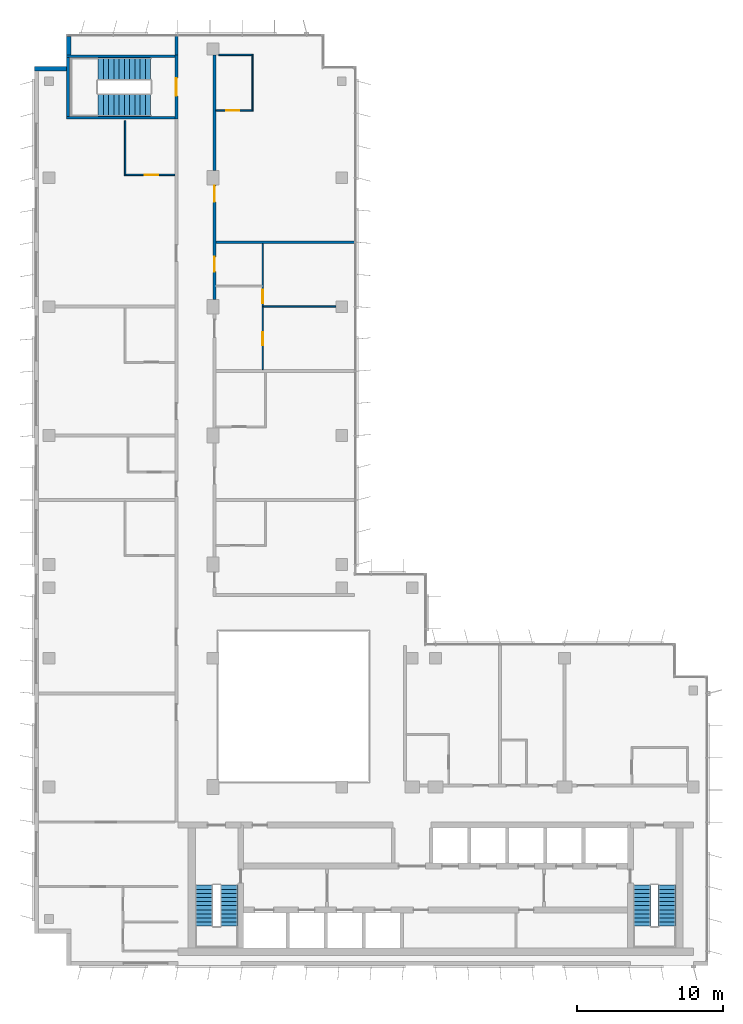
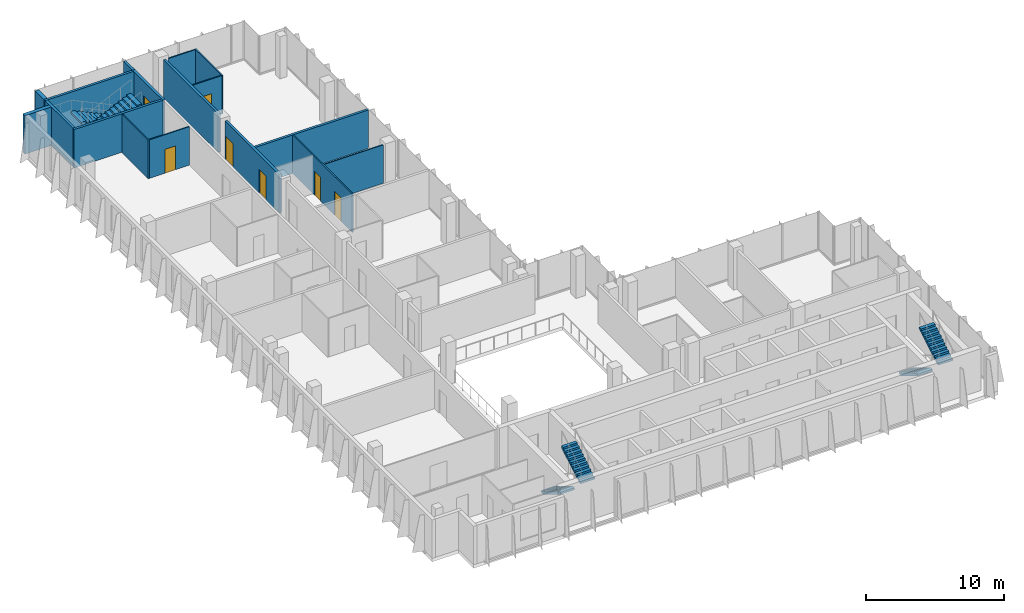
# One storey, part 12 of 15: 17 walls, 7 doors, 6 stair flights, 7 openings, 3 elements without a shape of their own.
"""IFC4 building model written with IfcOpenShell, lengths in metres."""

from ifc_helpers import new_model, si_unit, direction, frame, frame_2d, origin, place, context, subcontext, project, spatial, polyline, rectangle, outline, extrude, material, layer, layer_set, type_object, element, fill, aggregate, save


model = new_model("IFC4")

# Units and contexts
model_context = context("Model", 3, precision=1e-05, world=origin(), true_north=direction((0.0, 1.0)))
body_context = subcontext(model_context, "Body", "Model", "MODEL_VIEW")
ifc_project = project(units=[si_unit("LENGTHUNIT", "METRE"), si_unit("AREAUNIT", "SQUARE_METRE"), si_unit("VOLUMEUNIT", "CUBIC_METRE"), si_unit("PLANEANGLEUNIT", "RADIAN"), si_unit("MASSUNIT", "GRAM", prefix="KILO")], contexts=[model_context])

# Site, building, storey
site_placement = place(None, origin())
site = spatial("IfcSite", under=ifc_project, at=site_placement, CompositionType="ELEMENT")
building_placement = place(site_placement, origin())
building = spatial("IfcBuilding", under=site, at=building_placement, Name="Kemantara Hotel Tower", CompositionType="ELEMENT")
storey_placement = place(building_placement, frame((0.0, 0.0, 261.10009765625)))
storey = spatial("IfcBuildingStorey", under=building, at=storey_placement, Name="L65", CompositionType="ELEMENT", Elevation=261.10009765625)

# Walls
ifc_material_1 = material(Name="Bronze anodised aluminium cladding on insulated steel stud wall", Category="steel")
ifc_layer_1 = layer(ifc_material_1, 0.300048828125)
ifc_layer_set_1 = layer_set([ifc_layer_1], Name="Bronze anodised aluminium cladding on insulated steel stud wall")
wall_type_1 = type_object("IfcWallType", Name="BRONZE METAL-CLAD EXTERNAL WALL 300", PredefinedType="STANDARD", material=ifc_layer_set_1)
wall_1_placement = place(storey_placement, frame((2.35009765625, 63.449951171875, 0.0), z_axis=(0.0, 0.0, 1.0), x_axis=(0.0, -1.0, 0.0)))
element("IfcWall", 1, at=wall_1_placement, inside=storey, type_object=wall_type_1, Name="EXTERNAL WALL L65 T4-R03", PredefinedType="STANDARD", context=body_context, shape_type="SweptSolid", body=[
    extrude(rectangle(XDim=1.25, YDim=0.300048828125, at=frame_2d((0.625, 0.0))), origin(), (0.0, 0.0, 1.0), 3.39990234375),
])
wall_2_placement = place(storey_placement, frame((2.199951171875, 61.25, 0.0), z_axis=(0.0, 0.0, 1.0), x_axis=(-1.0, 0.0, 0.0)))
element("IfcWall", 2, at=wall_2_placement, inside=storey, type_object=wall_type_1, Name="EXTERNAL WALL L65 T4-R04", PredefinedType="STANDARD", context=body_context, shape_type="SweptSolid", body=[
    extrude(rectangle(XDim=2.199951171875, YDim=0.300048828125, at=frame_2d((1.10009765625, 0.0))), origin(), (0.0, 0.0, 1.0), 3.39990234375),
])
ifc_material_2 = material(Name="Gypsum board partition, steel studs and mineral wool, 200 mm", Category="steel")
ifc_layer_2 = layer(ifc_material_2, 0.199951171875)
ifc_layer_set_2 = layer_set([ifc_layer_2], Name="Gypsum board partition, steel studs and mineral wool, 200 mm")
wall_type_2 = type_object("IfcWallType", Name="CORRIDOR WALL 200", PredefinedType="PARTITIONING", material=ifc_layer_set_2)
wall_3_placement = place(storey_placement, frame((9.699951171875, 62.199951171875, 0.0), z_axis=(0.0, 0.0, 1.0), x_axis=(0.0, 1.0, 0.0)))
element("IfcWall", 3, at=wall_3_placement, inside=storey, type_object=wall_type_2, Name="CORRIDOR WALL 200 008", PredefinedType="PARTITIONING", context=body_context, shape_type="SweptSolid", body=[
    extrude(rectangle(XDim=1.280029296875, YDim=0.199951171875, at=frame_2d((0.64013671875, 0.0))), origin(), (0.0, 0.0, 1.0), 3.39990234375),
])

# Wall, openings, doors
wall_4_placement = place(storey_placement, frame((12.300048828125, 53.2998046875, 0.0), z_axis=(0.0, 0.0, 1.0), x_axis=(0.0, -1.0, 0.0)))
wall_4 = element("IfcWall", 4, at=wall_4_placement, inside=storey, type_object=wall_type_2, Name="CORRIDOR WALL 200 017", PredefinedType="PARTITIONING", context=body_context, shape_type="SweptSolid", body=[
    extrude(rectangle(XDim=7.7998046875, YDim=0.199951171875, at=frame_2d((3.89990234375, 0.0))), origin(), (0.0, 0.0, 1.0), 3.39990234375),
])
opening_1_placement = place(wall_4_placement, frame((4.89990234375, 0.0, 0.0)))
opening_1 = element("IfcOpeningElement", 5, at=opening_1_placement, cuts=wall_4, Name="Opening F32-024", PredefinedType="OPENING", context=body_context, shape_type="SweptSolid", body=[
    extrude(rectangle(XDim=1.0, YDim=2.10009765625, at=frame_2d((0.5, 1.050048828125))), frame((0.0, 0.10986328125, 0.0), z_axis=(0.0, -1.0, 0.0), x_axis=(1.0, 0.0, 0.0)), (0.0, 0.0, 1.0), 0.219970703125),
])
opening_2_placement = place(wall_4_placement, frame((0.0498046875, 0.0, 0.0)))
opening_2 = element("IfcOpeningElement", 6, at=opening_2_placement, cuts=wall_4, Name="Opening F32-028", PredefinedType="OPENING", context=body_context, shape_type="SweptSolid", body=[
    extrude(rectangle(XDim=1.10009765625, YDim=2.10009765625, at=frame_2d((0.550048828125, 1.050048828125))), frame((0.0, 0.10986328125, 0.0), z_axis=(0.0, -1.0, 0.0), x_axis=(1.0, 0.0, 0.0)), (0.0, 0.0, 1.0), 0.219970703125),
])
ifc_material_3 = material(Name="Steel door leaf with steel frame", Category="steel")
door_type_1 = type_object("IfcDoorType", Name="SERVICE ROOM DOOR 1000 X 2100 FD60", OperationType="NOTDEFINED", PredefinedType="DOOR", material=ifc_material_3)
door_1_placement = place(opening_1_placement, origin())
door_1 = element("IfcDoor", 7, at=door_1_placement, inside=storey, type_object=door_type_1, Name="SERVICE ROOM DOOR F32-024", OperationType="SINGLE_SWING_LEFT", OverallHeight=2.10009765625, OverallWidth=1.0, PredefinedType="DOOR", context=body_context, shape_type="SweptSolid", body=[
    extrude(rectangle(XDim=1.0, YDim=2.10009765625, at=frame_2d((0.5, 1.050048828125))), frame((0.0, 0.02490234375, 0.0), z_axis=(0.0, -1.0, 0.0), x_axis=(1.0, 0.0, 0.0)), (0.0, 0.0, 1.0), 0.050048828125),
])
fill(opening_1, door_1)
ifc_material_4 = material(Name="Hardwood veneer door leaf with steel frame", Category="steel")
door_type_2 = type_object("IfcDoorType", Name="SUITE ENTRANCE DOOR 1100 X 2100 FD30S", OperationType="NOTDEFINED", PredefinedType="DOOR", material=ifc_material_4)
door_2_placement = place(opening_2_placement, origin())
door_2 = element("IfcDoor", 8, at=door_2_placement, inside=storey, type_object=door_type_2, Name="SUITE ENTRANCE DOOR F32-028", OperationType="SINGLE_SWING_RIGHT", OverallHeight=2.10009765625, OverallWidth=1.10009765625, PredefinedType="DOOR", context=body_context, shape_type="SweptSolid", body=[
    extrude(rectangle(XDim=1.10009765625, YDim=2.10009765625, at=frame_2d((0.550048828125, 1.050048828125))), frame((0.0, 0.02490234375, 0.0), z_axis=(0.0, -1.0, 0.0), x_axis=(1.0, 0.0, 0.0)), (0.0, 0.0, 1.0), 0.050048828125),
])
fill(opening_2, door_2)

# Wall
wall_5_placement = place(storey_placement, frame((12.300048828125, 54.300048828125, 0.0), z_axis=(0.0, 0.0, 1.0), x_axis=(0.0, 1.0, 0.0)))
element("IfcWall", 9, at=wall_5_placement, inside=storey, type_object=wall_type_2, Name="CORRIDOR WALL 200 018", PredefinedType="PARTITIONING", context=body_context, shape_type="SweptSolid", body=[
    extrude(rectangle(XDim=7.89990234375, YDim=0.199951171875, at=frame_2d((3.949951171875, 0.0))), origin(), (0.0, 0.0, 1.0), 3.39990234375),
])

# Wall, opening, door
ifc_material_5 = material(Name="Concrete fc 40 MPa", Category="concrete")
ifc_layer_3 = layer(ifc_material_5, 0.199951171875)
ifc_layer_set_3 = layer_set([ifc_layer_3], Name="Concrete fc 40 MPa")
wall_type_3 = type_object("IfcWallType", Name="Concrete stair wall 200 mm", PredefinedType="SHEAR", material=ifc_layer_set_3)
wall_6_placement = place(storey_placement, frame((9.699951171875, 57.800048828125, 0.0), z_axis=(0.0, 0.0, 1.0), x_axis=(0.0, 1.0, 0.0)))
wall_6 = element("IfcWall", 10, at=wall_6_placement, inside=storey, type_object=wall_type_3, Name="Stair ST4 enclosure wall with door", PredefinedType="SHEAR", context=body_context, shape_type="SweptSolid", body=[
    extrude(rectangle(XDim=4.39990234375, YDim=0.199951171875, at=frame_2d((2.199951171875, 0.0))), origin(), (0.0, 0.0, 1.0), 3.39990234375),
])
opening_3_placement = place(wall_6_placement, frame((1.60009765625, 0.0, 0.0)))
opening_3 = element("IfcOpeningElement", 11, at=opening_3_placement, cuts=wall_6, Name="Opening ST4-C", PredefinedType="OPENING", context=body_context, shape_type="SweptSolid", body=[
    extrude(rectangle(XDim=1.199951171875, YDim=2.10009765625, at=frame_2d((0.60009765625, 1.050048828125))), frame((0.0, 0.10986328125, 0.0), z_axis=(0.0, -1.0, 0.0), x_axis=(1.0, 0.0, 0.0)), (0.0, 0.0, 1.0), 0.219970703125),
])
ifc_material_6 = material(Name="Steel fire door", Category="steel")
door_type_3 = type_object("IfcDoorType", Name="Fire door FD90 1200 x 2100", OperationType="NOTDEFINED", PredefinedType="DOOR", material=ifc_material_6)
door_3_placement = place(opening_3_placement, origin())
door_3 = element("IfcDoor", 12, at=door_3_placement, inside=storey, type_object=door_type_3, Name="Stair ST4 door", OperationType="SINGLE_SWING_RIGHT", OverallHeight=2.10009765625, OverallWidth=1.199951171875, PredefinedType="DOOR", context=body_context, shape_type="SweptSolid", body=[
    extrude(rectangle(XDim=1.199951171875, YDim=2.10009765625, at=frame_2d((0.60009765625, 1.050048828125))), frame((0.0, 0.02490234375, 0.0), z_axis=(0.0, -1.0, 0.0), x_axis=(1.0, 0.0, 0.0)), (0.0, 0.0, 1.0), 0.050048828125),
])
fill(opening_3, door_3)

# Walls
for number, where, z_axis, x_axis, name in (
    (13, (2.199951171875, 62.10009765625, 0.0), (0.0, 0.0, 1.0), (1.0, 0.0, 0.0), "Stair ST4 enclosure wall N"),
    (14, (2.199951171875, 57.89990234375, 0.0), (0.0, 0.0, 1.0), (1.0, 0.0, 0.0), "Stair ST4 enclosure wall S"),
):
    element("IfcWall", number, at=place(storey_placement, frame(where, z_axis=z_axis, x_axis=x_axis)), inside=storey, type_object=wall_type_3, Name=name, PredefinedType="SHEAR", context=body_context, shape_type="SweptSolid", body=[
        extrude(rectangle(XDim=7.400146484375, YDim=0.199951171875, at=frame_2d((3.7001953125, 0.0))), origin(), (0.0, 0.0, 1.0), 3.39990234375),
    ])
wall_7_placement = place(storey_placement, frame((2.300048828125, 58.0, 0.0), z_axis=(0.0, 0.0, 1.0), x_axis=(0.0, 1.0, 0.0)))
element("IfcWall", 15, at=wall_7_placement, inside=storey, type_object=wall_type_3, Name="Stair ST4 enclosure wall W", PredefinedType="SHEAR", context=body_context, shape_type="SweptSolid", body=[
    extrude(rectangle(XDim=4.0, YDim=0.199951171875, at=frame_2d((2.0, 0.0))), origin(), (0.0, 0.0, 1.0), 3.39990234375),
])
ifc_layer_4 = layer(ifc_material_2, 0.199951171875)
ifc_layer_set_4 = layer_set([ifc_layer_4], Name="Gypsum board partition, steel studs and mineral wool, 200 mm")
wall_type_4 = type_object("IfcWallType", Name="GUEST ROOM PARTY WALL 200", PredefinedType="PARTITIONING", material=ifc_layer_set_4)
wall_8_placement = place(storey_placement, frame((12.39990234375, 49.39990234375, 0.0), z_axis=(0.0, 0.0, 1.0), x_axis=(1.0, 0.0, 0.0)))
element("IfcWall", 16, at=wall_8_placement, inside=storey, type_object=wall_type_4, Name="GUEST ROOM PARTY WALL 200 021", PredefinedType="PARTITIONING", context=body_context, shape_type="SweptSolid", body=[
    extrude(rectangle(XDim=9.47021484375, YDim=0.199951171875, at=frame_2d((4.735107421875, 0.0))), origin(), (0.0, 0.0, 1.0), 3.39990234375),
])
ifc_material_7 = material(Name="Gypsum board partition on steel studs, 100 mm", Category="steel")
ifc_layer_5 = layer(ifc_material_7, 0.10009765625)
ifc_layer_set_5 = layer_set([ifc_layer_5], Name="Gypsum board partition on steel studs, 100 mm")
wall_type_5 = type_object("IfcWallType", Name="ROOM PARTITION 100", PredefinedType="PARTITIONING", material=ifc_layer_set_5)
wall_9_placement = place(storey_placement, frame((6.199951171875, 53.949951171875, 0.0), z_axis=(0.0, 0.0, 1.0), x_axis=(0.0, 1.0, 0.0)))
element("IfcWall", 17, at=wall_9_placement, inside=storey, type_object=wall_type_5, Name="ROOM PARTITION 100 036", PredefinedType="PARTITIONING", context=body_context, shape_type="SweptSolid", body=[
    extrude(rectangle(XDim=3.75, YDim=0.10009765625, at=frame_2d((1.875, 0.0))), origin(), (0.0, 0.0, 1.0), 3.39990234375),
])

# Wall, opening, door
wall_10_placement = place(storey_placement, frame((6.25, 54.0, 0.0), z_axis=(0.0, 0.0, 1.0), x_axis=(1.0, 0.0, 0.0)))
wall_10 = element("IfcWall", 18, at=wall_10_placement, inside=storey, type_object=wall_type_5, Name="ROOM PARTITION 100 041", PredefinedType="PARTITIONING", context=body_context, shape_type="SweptSolid", body=[
    extrude(rectangle(XDim=3.35009765625, YDim=0.10009765625, at=frame_2d((1.675048828125, 0.0))), origin(), (0.0, 0.0, 1.0), 3.39990234375),
])
opening_4_placement = place(wall_10_placement, frame((1.300048828125, 0.0, 0.0)))
opening_4 = element("IfcOpeningElement", 19, at=opening_4_placement, cuts=wall_10, Name="Opening F32-019", PredefinedType="OPENING", context=body_context, shape_type="SweptSolid", body=[
    extrude(rectangle(XDim=0.89990234375, YDim=2.10009765625, at=frame_2d((0.449951171875, 1.050048828125))), frame((0.0, 0.06005859375, 0.0), z_axis=(0.0, -1.0, 0.0), x_axis=(1.0, 0.0, 0.0)), (0.0, 0.0, 1.0), 0.1201171875),
])
door_type_4 = type_object("IfcDoorType", Name="BATHROOM DOOR 900 X 2100", OperationType="NOTDEFINED", PredefinedType="DOOR", material=ifc_material_4)
door_4_placement = place(opening_4_placement, origin())
door_4 = element("IfcDoor", 20, at=door_4_placement, inside=storey, type_object=door_type_4, Name="BATHROOM DOOR F32-019", OperationType="SINGLE_SWING_RIGHT", OverallHeight=2.10009765625, OverallWidth=0.89990234375, PredefinedType="DOOR", context=body_context, shape_type="SweptSolid", body=[
    extrude(rectangle(XDim=0.89990234375, YDim=2.10009765625, at=frame_2d((0.449951171875, 1.050048828125))), frame((0.0, 0.02490234375, 0.0), z_axis=(0.0, -1.0, 0.0), x_axis=(1.0, 0.0, 0.0)), (0.0, 0.0, 1.0), 0.050048828125),
])
fill(opening_4, door_4)

# Wall, openings, doors
wall_11_placement = place(storey_placement, frame((15.60009765625, 49.300048828125, 0.0), z_axis=(0.0, 0.0, 1.0), x_axis=(0.0, -1.0, 0.0)))
wall_11 = element("IfcWall", 21, at=wall_11_placement, inside=storey, type_object=wall_type_5, Name="ROOM PARTITION 100 046", PredefinedType="PARTITIONING", context=body_context, shape_type="SweptSolid", body=[
    extrude(rectangle(XDim=8.60009765625, YDim=0.10009765625, at=frame_2d((4.300048828125, 0.0))), origin(), (0.0, 0.0, 1.0), 3.39990234375),
])
opening_5_placement = place(wall_11_placement, frame((3.14990234375, 0.0, 0.0)))
opening_5 = element("IfcOpeningElement", 22, at=opening_5_placement, cuts=wall_11, Name="Opening F32-026", PredefinedType="OPENING", context=body_context, shape_type="SweptSolid", body=[
    extrude(rectangle(XDim=0.89990234375, YDim=2.10009765625, at=frame_2d((0.449951171875, 1.050048828125))), frame((0.0, 0.06005859375, 0.0), z_axis=(0.0, -1.0, 0.0), x_axis=(1.0, 0.0, 0.0)), (0.0, 0.0, 1.0), 0.1201171875),
])
opening_6_placement = place(wall_11_placement, frame((6.050048828125, 0.0, 0.0)))
opening_6 = element("IfcOpeningElement", 23, at=opening_6_placement, cuts=wall_11, Name="Opening F32-027", PredefinedType="OPENING", context=body_context, shape_type="SweptSolid", body=[
    extrude(rectangle(XDim=0.89990234375, YDim=2.10009765625, at=frame_2d((0.449951171875, 1.050048828125))), frame((0.0, 0.06005859375, 0.0), z_axis=(0.0, -1.0, 0.0), x_axis=(1.0, 0.0, 0.0)), (0.0, 0.0, 1.0), 0.1201171875),
])
door_type_5 = type_object("IfcDoorType", Name="INTERNAL DOOR 900 X 2100", OperationType="NOTDEFINED", PredefinedType="DOOR", material=ifc_material_4)
door_5_placement = place(opening_5_placement, origin())
door_5 = element("IfcDoor", 24, at=door_5_placement, inside=storey, type_object=door_type_5, Name="INTERNAL DOOR F32-026", OperationType="SINGLE_SWING_RIGHT", OverallHeight=2.10009765625, OverallWidth=0.89990234375, PredefinedType="DOOR", context=body_context, shape_type="SweptSolid", body=[
    extrude(rectangle(XDim=0.89990234375, YDim=2.10009765625, at=frame_2d((0.449951171875, 1.050048828125))), frame((0.0, 0.02490234375, 0.0), z_axis=(0.0, -1.0, 0.0), x_axis=(1.0, 0.0, 0.0)), (0.0, 0.0, 1.0), 0.050048828125),
])
fill(opening_5, door_5)
door_6_placement = place(opening_6_placement, origin())
door_6 = element("IfcDoor", 25, at=door_6_placement, inside=storey, type_object=door_type_5, Name="INTERNAL DOOR F32-027", OperationType="SINGLE_SWING_RIGHT", OverallHeight=2.10009765625, OverallWidth=0.89990234375, PredefinedType="DOOR", context=body_context, shape_type="SweptSolid", body=[
    extrude(rectangle(XDim=0.89990234375, YDim=2.10009765625, at=frame_2d((0.449951171875, 1.050048828125))), frame((0.0, 0.02490234375, 0.0), z_axis=(0.0, -1.0, 0.0), x_axis=(1.0, 0.0, 0.0)), (0.0, 0.0, 1.0), 0.050048828125),
])
fill(opening_6, door_6)

# Walls
wall_12_placement = place(storey_placement, frame((15.64990234375, 45.0, 0.0), z_axis=(0.0, 0.0, 1.0), x_axis=(1.0, 0.0, 0.0)))
element("IfcWall", 26, at=wall_12_placement, inside=storey, type_object=wall_type_5, Name="ROOM PARTITION 100 048", PredefinedType="PARTITIONING", context=body_context, shape_type="SweptSolid", body=[
    extrude(rectangle(XDim=4.949951171875, YDim=0.10009765625, at=frame_2d((2.47509765625, 0.0))), origin(), (0.0, 0.0, 1.0), 3.39990234375),
])
wall_13_placement = place(storey_placement, frame((14.89990234375, 58.35009765625, 0.0), z_axis=(0.0, 0.0, 1.0), x_axis=(0.0, 1.0, 0.0)))
element("IfcWall", 27, at=wall_13_placement, inside=storey, type_object=wall_type_5, Name="ROOM PARTITION 100 049", PredefinedType="PARTITIONING", context=body_context, shape_type="SweptSolid", body=[
    extrude(rectangle(XDim=3.89990234375, YDim=0.10009765625, at=frame_2d((1.949951171875, 0.0))), origin(), (0.0, 0.0, 1.0), 3.39990234375),
])

# Wall, opening, door
wall_14_placement = place(storey_placement, frame((12.39990234375, 58.39990234375, 0.0), z_axis=(0.0, 0.0, 1.0), x_axis=(1.0, 0.0, 0.0)))
wall_14 = element("IfcWall", 28, at=wall_14_placement, inside=storey, type_object=wall_type_5, Name="ROOM PARTITION 100 050", PredefinedType="PARTITIONING", context=body_context, shape_type="SweptSolid", body=[
    extrude(rectangle(XDim=2.4501953125, YDim=0.10009765625, at=frame_2d((1.22509765625, 0.0))), origin(), (0.0, 0.0, 1.0), 3.39990234375),
])
opening_7_placement = place(wall_14_placement, frame((0.699951171875, 0.0, 0.0)))
opening_7 = element("IfcOpeningElement", 29, at=opening_7_placement, cuts=wall_14, Name="Opening F32-029", PredefinedType="OPENING", context=body_context, shape_type="SweptSolid", body=[
    extrude(rectangle(XDim=0.89990234375, YDim=2.10009765625, at=frame_2d((0.449951171875, 1.050048828125))), frame((0.0, 0.06005859375, 0.0), z_axis=(0.0, -1.0, 0.0), x_axis=(1.0, 0.0, 0.0)), (0.0, 0.0, 1.0), 0.1201171875),
])
door_7_placement = place(opening_7_placement, origin())
door_7 = element("IfcDoor", 30, at=door_7_placement, inside=storey, type_object=door_type_4, Name="BATHROOM DOOR F32-029", OperationType="SINGLE_SWING_LEFT", OverallHeight=2.10009765625, OverallWidth=0.89990234375, PredefinedType="DOOR", context=body_context, shape_type="SweptSolid", body=[
    extrude(rectangle(XDim=0.89990234375, YDim=2.10009765625, at=frame_2d((0.449951171875, 1.050048828125))), frame((0.0, 0.02490234375, 0.0), z_axis=(0.0, -1.0, 0.0), x_axis=(1.0, 0.0, 0.0)), (0.0, 0.0, 1.0), 0.050048828125),
])
fill(opening_7, door_7)

# Wall
wall_15_placement = place(storey_placement, frame((12.60009765625, 62.199951171875, 0.0), z_axis=(0.0, 0.0, 1.0), x_axis=(1.0, 0.0, 0.0)))
element("IfcWall", 31, at=wall_15_placement, inside=storey, type_object=wall_type_5, Name="ROOM PARTITION 100 051", PredefinedType="PARTITIONING", context=body_context, shape_type="SweptSolid", body=[
    extrude(rectangle(XDim=2.25, YDim=0.10009765625, at=frame_2d((1.125, 0.0))), origin(), (0.0, 0.0, 1.0), 3.39990234375),
])

# Stair, stair flights
stair_type_1 = type_object("IfcStairType", Name="Stair 1200 wide 22 risers of 168 x 280 mm", PredefinedType="HALF_TURN_STAIR", material=ifc_material_5)
stair_1_placement = place(storey_placement, origin())
stair_1 = element("IfcStair", 32, at=stair_1_placement, inside=storey, type_object=stair_type_1, Name="L65 Exit stair ST1", PredefinedType="HALF_TURN_STAIR")
stair_flight_type_1 = type_object("IfcStairFlightType", Name="Stair flight 1200 wide 168 x 280 mm", PredefinedType="STRAIGHT", material=ifc_material_5)
stair_flight_1_placement = place(storey_placement, frame((11.60009765625, 5.5, 0.0), z_axis=(0.0, 0.0, 1.0), x_axis=(0.0, -1.0, 0.0)))
stair_flight_1 = element("IfcStairFlight", 33, at=stair_flight_1_placement, type_object=stair_flight_type_1, Name="ST1 flight 1", NumberOfRisers=11, NumberOfTreads=10, PredefinedType="STRAIGHT", RiserHeight=0.168181818, TreadLength=0.28, context=body_context, shape_type="SweptSolid", body=[
    extrude(outline(polyline([(0.0, 0.0), (0.0, 0.168212890625), (0.280029296875, 0.168212890625), (0.280029296875, 0.33642578125), (0.56005859375, 0.33642578125), (0.56005859375, 0.504638671875), (0.840087890625, 0.504638671875), (0.840087890625, 0.672607421875), (1.1201171875, 0.672607421875), (1.1201171875, 0.8408203125), (1.39990234375, 0.8408203125), (1.39990234375, 1.009033203125), (1.679931640625, 1.009033203125), (1.679931640625, 1.17724609375), (1.9599609375, 1.17724609375), (1.9599609375, 1.345458984375), (2.239990234375, 1.345458984375), (2.239990234375, 1.513671875), (2.52001953125, 1.513671875), (2.52001953125, 1.681884765625), (2.800048828125, 1.681884765625), (2.800048828125, 1.85009765625), (2.800048828125, 1.5068359375), (0.291015625, 0.0), (0.0, 0.0)])), frame((0.0, 0.60009765625, 0.0), z_axis=(0.0, -1.0, 0.0), x_axis=(1.0, 0.0, 0.0)), (0.0, 0.0, 1.0), 1.199951171875),
])
stair_flight_2_placement = place(storey_placement, frame((13.300048828125, 2.699951171875, 1.849853515625), z_axis=(0.0, 0.0, 1.0), x_axis=(0.0, 1.0, 0.0)))
stair_flight_2 = element("IfcStairFlight", 34, at=stair_flight_2_placement, type_object=stair_flight_type_1, Name="ST1 flight 2", NumberOfRisers=11, NumberOfTreads=10, PredefinedType="STRAIGHT", RiserHeight=0.168181818, TreadLength=0.28, context=body_context, shape_type="SweptSolid", body=[
    extrude(outline(polyline([(0.0, 0.0), (0.0, 0.168212890625), (0.280029296875, 0.168212890625), (0.280029296875, 0.33642578125), (0.56005859375, 0.33642578125), (0.56005859375, 0.504638671875), (0.840087890625, 0.504638671875), (0.840087890625, 0.672607421875), (1.1201171875, 0.672607421875), (1.1201171875, 0.8408203125), (1.39990234375, 0.8408203125), (1.39990234375, 1.009033203125), (1.679931640625, 1.009033203125), (1.679931640625, 1.17724609375), (1.9599609375, 1.17724609375), (1.9599609375, 1.345458984375), (2.239990234375, 1.345458984375), (2.239990234375, 1.513671875), (2.52001953125, 1.513671875), (2.52001953125, 1.681884765625), (2.800048828125, 1.681884765625), (2.800048828125, 1.85009765625), (2.800048828125, 1.5068359375), (0.291015625, 0.0), (0.0, 0.0)])), frame((0.0, 0.60009765625, 0.0), z_axis=(0.0, -1.0, 0.0), x_axis=(1.0, 0.0, 0.0)), (0.0, 0.0, 1.0), 1.199951171875),
])
aggregate(stair_1, [stair_flight_1, stair_flight_2])

stair_2_placement = place(storey_placement, origin())
stair_2 = element("IfcStair", 35, at=stair_2_placement, inside=storey, type_object=stair_type_1, Name="L65 Exit stair ST2", PredefinedType="HALF_TURN_STAIR")
stair_flight_3_placement = place(storey_placement, frame((41.5, 5.5, 0.0), z_axis=(0.0, 0.0, 1.0), x_axis=(0.0, -1.0, 0.0)))
stair_flight_3 = element("IfcStairFlight", 36, at=stair_flight_3_placement, type_object=stair_flight_type_1, Name="ST2 flight 1", NumberOfRisers=11, NumberOfTreads=10, PredefinedType="STRAIGHT", RiserHeight=0.168181818, TreadLength=0.28, context=body_context, shape_type="SweptSolid", body=[
    extrude(outline(polyline([(0.0, 0.0), (0.0, 0.168212890625), (0.280029296875, 0.168212890625), (0.280029296875, 0.33642578125), (0.56005859375, 0.33642578125), (0.56005859375, 0.504638671875), (0.840087890625, 0.504638671875), (0.840087890625, 0.672607421875), (1.1201171875, 0.672607421875), (1.1201171875, 0.8408203125), (1.39990234375, 0.8408203125), (1.39990234375, 1.009033203125), (1.679931640625, 1.009033203125), (1.679931640625, 1.17724609375), (1.9599609375, 1.17724609375), (1.9599609375, 1.345458984375), (2.239990234375, 1.345458984375), (2.239990234375, 1.513671875), (2.52001953125, 1.513671875), (2.52001953125, 1.681884765625), (2.800048828125, 1.681884765625), (2.800048828125, 1.85009765625), (2.800048828125, 1.5068359375), (0.291015625, 0.0), (0.0, 0.0)])), frame((0.0, 0.60009765625, 0.0), z_axis=(0.0, -1.0, 0.0), x_axis=(1.0, 0.0, 0.0)), (0.0, 0.0, 1.0), 1.199951171875),
])
stair_flight_4_placement = place(storey_placement, frame((43.199951171875, 2.699951171875, 1.849853515625), z_axis=(0.0, 0.0, 1.0), x_axis=(0.0, 1.0, 0.0)))
stair_flight_4 = element("IfcStairFlight", 37, at=stair_flight_4_placement, type_object=stair_flight_type_1, Name="ST2 flight 2", NumberOfRisers=11, NumberOfTreads=10, PredefinedType="STRAIGHT", RiserHeight=0.168181818, TreadLength=0.28, context=body_context, shape_type="SweptSolid", body=[
    extrude(outline(polyline([(0.0, 0.0), (0.0, 0.168212890625), (0.280029296875, 0.168212890625), (0.280029296875, 0.33642578125), (0.56005859375, 0.33642578125), (0.56005859375, 0.504638671875), (0.840087890625, 0.504638671875), (0.840087890625, 0.672607421875), (1.1201171875, 0.672607421875), (1.1201171875, 0.8408203125), (1.39990234375, 0.8408203125), (1.39990234375, 1.009033203125), (1.679931640625, 1.009033203125), (1.679931640625, 1.17724609375), (1.9599609375, 1.17724609375), (1.9599609375, 1.345458984375), (2.239990234375, 1.345458984375), (2.239990234375, 1.513671875), (2.52001953125, 1.513671875), (2.52001953125, 1.681884765625), (2.800048828125, 1.681884765625), (2.800048828125, 1.85009765625), (2.800048828125, 1.5068359375), (0.291015625, 0.0), (0.0, 0.0)])), frame((0.0, 0.60009765625, 0.0), z_axis=(0.0, -1.0, 0.0), x_axis=(1.0, 0.0, 0.0)), (0.0, 0.0, 1.0), 1.199951171875),
])
aggregate(stair_2, [stair_flight_3, stair_flight_4])

stair_type_2 = type_object("IfcStairType", Name="Stair 1550 wide 22 risers of 168 x 360 mm", PredefinedType="HALF_TURN_STAIR", material=ifc_material_5)
stair_3_placement = place(storey_placement, origin())
stair_3 = element("IfcStair", 38, at=stair_3_placement, inside=storey, type_object=stair_type_2, Name="L65 Exit stair ST4", PredefinedType="HALF_TURN_STAIR")
stair_flight_type_2 = type_object("IfcStairFlightType", Name="Stair flight 1550 wide 168 x 360 mm", PredefinedType="STRAIGHT", material=ifc_material_5)
stair_flight_5_placement = place(storey_placement, frame((7.949951171875, 61.22509765625, 0.0), z_axis=(0.0, 0.0, 1.0), x_axis=(-1.0, 0.0, 0.0)))
stair_flight_5 = element("IfcStairFlight", 39, at=stair_flight_5_placement, type_object=stair_flight_type_2, Name="ST4 flight 1", NumberOfRisers=11, NumberOfTreads=10, PredefinedType="STRAIGHT", RiserHeight=0.168181818, TreadLength=0.36, context=body_context, shape_type="SweptSolid", body=[
    extrude(outline(polyline([(0.0, 0.0), (0.0, 0.168212890625), (0.360107421875, 0.168212890625), (0.360107421875, 0.33642578125), (0.719970703125, 0.33642578125), (0.719970703125, 0.504638671875), (1.080078125, 0.504638671875), (1.080078125, 0.672607421875), (1.43994140625, 0.672607421875), (1.43994140625, 0.8408203125), (1.800048828125, 0.8408203125), (1.800048828125, 1.009033203125), (2.159912109375, 1.009033203125), (2.159912109375, 1.17724609375), (2.52001953125, 1.17724609375), (2.52001953125, 1.345458984375), (2.8798828125, 1.345458984375), (2.8798828125, 1.513671875), (3.239990234375, 1.513671875), (3.239990234375, 1.681884765625), (3.60009765625, 1.681884765625), (3.60009765625, 1.85009765625), (3.60009765625, 1.516357421875), (0.354248046875, 0.0), (0.0, 0.0)])), frame((0.0, 0.77490234375, 0.0), z_axis=(0.0, -1.0, 0.0), x_axis=(1.0, 0.0, 0.0)), (0.0, 0.0, 1.0), 1.550048828125),
])
stair_flight_6_placement = place(storey_placement, frame((4.35009765625, 58.77490234375, 1.849853515625), z_axis=(0.0, 0.0, 1.0), x_axis=(1.0, 0.0, 0.0)))
stair_flight_6 = element("IfcStairFlight", 40, at=stair_flight_6_placement, type_object=stair_flight_type_2, Name="ST4 flight 2", NumberOfRisers=11, NumberOfTreads=10, PredefinedType="STRAIGHT", RiserHeight=0.168181818, TreadLength=0.36, context=body_context, shape_type="SweptSolid", body=[
    extrude(outline(polyline([(0.0, 0.0), (0.0, 0.168212890625), (0.360107421875, 0.168212890625), (0.360107421875, 0.33642578125), (0.719970703125, 0.33642578125), (0.719970703125, 0.504638671875), (1.080078125, 0.504638671875), (1.080078125, 0.672607421875), (1.43994140625, 0.672607421875), (1.43994140625, 0.8408203125), (1.800048828125, 0.8408203125), (1.800048828125, 1.009033203125), (2.159912109375, 1.009033203125), (2.159912109375, 1.17724609375), (2.52001953125, 1.17724609375), (2.52001953125, 1.345458984375), (2.8798828125, 1.345458984375), (2.8798828125, 1.513671875), (3.239990234375, 1.513671875), (3.239990234375, 1.681884765625), (3.60009765625, 1.681884765625), (3.60009765625, 1.85009765625), (3.60009765625, 1.516357421875), (0.354248046875, 0.0), (0.0, 0.0)])), frame((0.0, 0.77490234375, 0.0), z_axis=(0.0, -1.0, 0.0), x_axis=(1.0, 0.0, 0.0)), (0.0, 0.0, 1.0), 1.550048828125),
])
aggregate(stair_3, [stair_flight_5, stair_flight_6])

save(model, "model.ifc")
